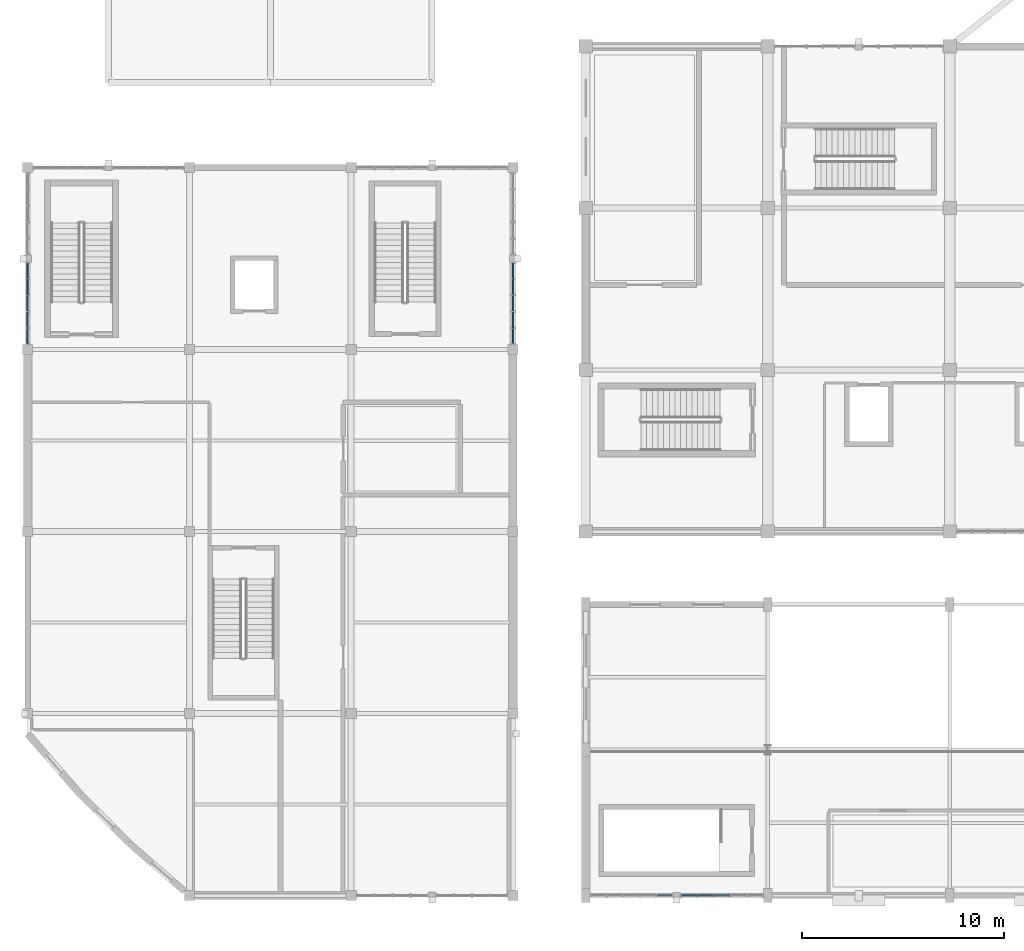
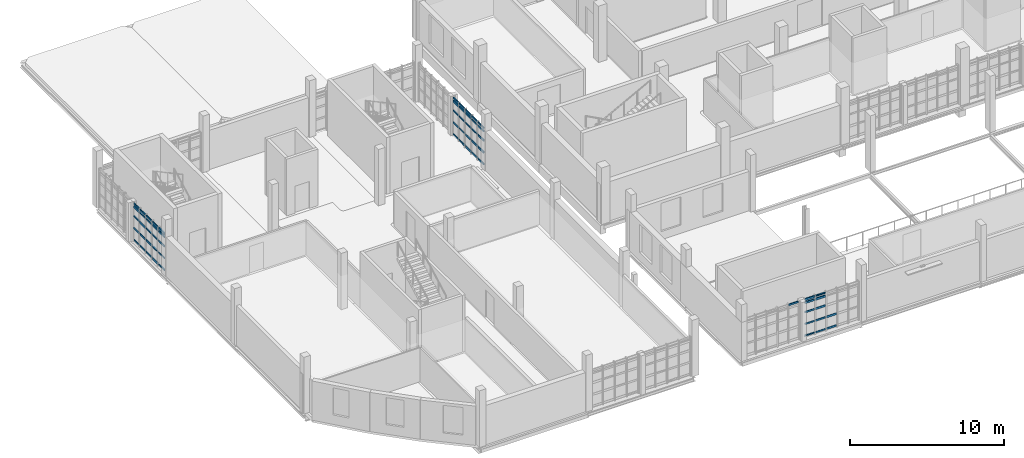
# One storey, part 53 of 125: 63 members, 4 elements without a shape of their own.
"""IFC4 building model written with IfcOpenShell, lengths in metres."""

from ifc_helpers import new_model, si_unit, direction, frame, origin, origin_2d, place, context, subcontext, project, spatial, rectangle, extrude, material, material_profile, profile_set, type_object, element, aggregate, save


model = new_model("IFC4")

# Units and contexts
model_context = context("Model", 3, precision=1e-05, world=origin(), true_north=direction((0.0, 1.0)))
body_context = subcontext(model_context, "Body", "Model", "MODEL_VIEW")
ifc_project = project(units=[si_unit("LENGTHUNIT", "METRE"), si_unit("AREAUNIT", "SQUARE_METRE"), si_unit("VOLUMEUNIT", "CUBIC_METRE"), si_unit("PLANEANGLEUNIT", "RADIAN"), si_unit("MASSUNIT", "GRAM", prefix="KILO")], contexts=[model_context])

# Site, building, storey
site_placement = place(None, origin())
site = spatial("IfcSite", under=ifc_project, at=site_placement, CompositionType="ELEMENT")
building_placement = place(site_placement, origin())
building = spatial("IfcBuilding", under=site, at=building_placement, Name="Serraforn Aerial Cableway Station", CompositionType="ELEMENT")
storey_placement = place(building_placement, frame((0.0, 0.0, 4.5)))
storey = spatial("IfcBuildingStorey", under=building, at=storey_placement, Name="L01", CompositionType="ELEMENT", Elevation=4.5)

# Curtain wall, members
ifc_material_1 = material(Name="Anodised bronze unitised curtain wall")
curtain_wall_type_1 = type_object("IfcCurtainWallType", Name="CW-SYS-20", PredefinedType="USERDEFINED", material=ifc_material_1)
curtain_wall_1_placement = place(storey_placement, origin())
curtain_wall_1 = element("IfcCurtainWall", 1, at=curtain_wall_1_placement, inside=storey, type_object=curtain_wall_type_1, Name="Unitised Curtain Wall CW-W-L01-W4B", ObjectType="UNITISED CURTAIN WALL", PredefinedType="USERDEFINED")
ifc_material_2 = material(Name="Anodised bronze extruded aluminium", Category="aluminium")
ifc_material_profile_1 = material_profile(ifc_material_2, rectangle(XDim=0.054931640625, YDim=0.110107421875, at=origin_2d()), Name="CW TRANSOM 55x110")
ifc_profile_set_1 = profile_set([ifc_material_profile_1], Name="Anodised bronze extruded aluminium")
member_type_1 = type_object("IfcMemberType", Name="CW-TRN-1", PredefinedType="USERDEFINED", material=ifc_profile_set_1)
member_1_placement = place(storey_placement, frame((0.0, 31.26708984375, 2.9951171875), z_axis=(0.0, -1.0, 0.0), x_axis=(1.0, 0.0, 0.0)))
member_1 = element("IfcMember", 2, at=member_1_placement, type_object=member_type_1, Name="Curtain Wall Transom CW-W-L01-W4B-T1-5", ObjectType="TRANSOM", PredefinedType="USERDEFINED", context=body_context, shape_type="SweptSolid", body=[
    extrude(rectangle(XDim=0.054931640625, YDim=0.110107421875, at=origin_2d()), origin(), (0.0, 0.0, 1.0), 0.7333984375),
])
member_2_placement = place(storey_placement, frame((0.0, 30.4775390625, 2.74560546875), z_axis=(0.0, -1.0, 0.0), x_axis=(1.0, 0.0, 0.0)))
member_2 = element("IfcMember", 3, at=member_2_placement, type_object=member_type_1, Name="Curtain Wall Transom CW-W-L01-W4B-T2-4", ObjectType="TRANSOM", PredefinedType="USERDEFINED", context=body_context, shape_type="SweptSolid", body=[
    extrude(rectangle(XDim=0.054931640625, YDim=0.110107421875, at=origin_2d()), origin(), (0.0, 0.0, 1.0), 0.755859375),
])
member_3_placement = place(storey_placement, frame((0.0, 29.66064453125, 1.996826171875), z_axis=(0.0, -1.0, 0.0), x_axis=(1.0, 0.0, 0.0)))
member_3 = element("IfcMember", 4, at=member_3_placement, type_object=member_type_1, Name="Curtain Wall Transom CW-W-L01-W4B-T3-3", ObjectType="TRANSOM", PredefinedType="USERDEFINED", context=body_context, shape_type="SweptSolid", body=[
    extrude(rectangle(XDim=0.054931640625, YDim=0.110107421875, at=origin_2d()), origin(), (0.0, 0.0, 1.0), 0.750732421875),
])
member_4_placement = place(storey_placement, frame((0.0, 28.84375, 1.060791015625), z_axis=(0.0, -1.0, 0.0), x_axis=(1.0, 0.0, 0.0)))
member_4 = element("IfcMember", 5, at=member_4_placement, type_object=member_type_1, Name="Curtain Wall Transom CW-W-L01-W4B-T4-2", ObjectType="TRANSOM", PredefinedType="USERDEFINED", context=body_context, shape_type="SweptSolid", body=[
    extrude(rectangle(XDim=0.054931640625, YDim=0.110107421875, at=origin_2d()), origin(), (0.0, 0.0, 1.0), 0.745849609375),
])
member_5_placement = place(storey_placement, frame((0.0, 28.02685546875, 0.124755859375), z_axis=(0.0, -1.0, 0.0), x_axis=(1.0, 0.0, 0.0)))
member_5 = element("IfcMember", 6, at=member_5_placement, type_object=member_type_1, Name="Curtain Wall Transom CW-W-L01-W4B-T5-1", ObjectType="TRANSOM", PredefinedType="USERDEFINED", context=body_context, shape_type="SweptSolid", body=[
    extrude(rectangle(XDim=0.054931640625, YDim=0.110107421875, at=origin_2d()), origin(), (0.0, 0.0, 1.0), 0.725830078125),
])

curtain_wall_type_2 = type_object("IfcCurtainWallType", Name="CW-SYS-21", PredefinedType="USERDEFINED", material=ifc_material_1)
curtain_wall_2_placement = place(storey_placement, origin())
curtain_wall_2 = element("IfcCurtainWall", 7, at=curtain_wall_2_placement, inside=storey, type_object=curtain_wall_type_2, Name="Unitised Curtain Wall CW-W-L01-E4A", ObjectType="UNITISED CURTAIN WALL", PredefinedType="USERDEFINED")
member_6_placement = place(storey_placement, frame((24.0, 27.305908203125, 2.74560546875), z_axis=(0.0, 1.0, 0.0), x_axis=(-1.0, 0.0, 0.0)))
member_6 = element("IfcMember", 8, at=member_6_placement, type_object=member_type_1, Name="Curtain Wall Transom CW-W-L01-E4A-T1-4", ObjectType="TRANSOM", PredefinedType="USERDEFINED", context=body_context, shape_type="SweptSolid", body=[
    extrude(rectangle(XDim=0.054931640625, YDim=0.110107421875, at=origin_2d()), origin(), (0.0, 0.0, 1.0), 0.72607421875),
])
member_7_placement = place(storey_placement, frame((24.0, 28.093017578125, 1.996826171875), z_axis=(0.0, 1.0, 0.0), x_axis=(-1.0, 0.0, 0.0)))
member_7 = element("IfcMember", 9, at=member_7_placement, type_object=member_type_1, Name="Curtain Wall Transom CW-W-L01-E4A-T2-3", ObjectType="TRANSOM", PredefinedType="USERDEFINED", context=body_context, shape_type="SweptSolid", body=[
    extrude(rectangle(XDim=0.054931640625, YDim=0.110107421875, at=origin_2d()), origin(), (0.0, 0.0, 1.0), 0.750732421875),
])
member_8_placement = place(storey_placement, frame((24.0, 28.909912109375, 1.060791015625), z_axis=(0.0, 1.0, 0.0), x_axis=(-1.0, 0.0, 0.0)))
member_8 = element("IfcMember", 10, at=member_8_placement, type_object=member_type_1, Name="Curtain Wall Transom CW-W-L01-E4A-T3-2", ObjectType="TRANSOM", PredefinedType="USERDEFINED", context=body_context, shape_type="SweptSolid", body=[
    extrude(rectangle(XDim=0.054931640625, YDim=0.110107421875, at=origin_2d()), origin(), (0.0, 0.0, 1.0), 0.745849609375),
])
member_9_placement = place(storey_placement, frame((24.0, 29.726806640625, 0.124755859375), z_axis=(0.0, 1.0, 0.0), x_axis=(-1.0, 0.0, 0.0)))
member_9 = element("IfcMember", 11, at=member_9_placement, type_object=member_type_1, Name="Curtain Wall Transom CW-W-L01-E4A-T4-1", ObjectType="TRANSOM", PredefinedType="USERDEFINED", context=body_context, shape_type="SweptSolid", body=[
    extrude(rectangle(XDim=0.054931640625, YDim=0.110107421875, at=origin_2d()), origin(), (0.0, 0.0, 1.0), 0.753173828125),
])
member_10_placement = place(storey_placement, frame((24.0, 30.531005859375, 2.9951171875), z_axis=(0.0, 1.0, 0.0), x_axis=(-1.0, 0.0, 0.0)))
member_10 = element("IfcMember", 12, at=member_10_placement, type_object=member_type_1, Name="Curtain Wall Transom CW-W-L01-E4A-T5-5", ObjectType="TRANSOM", PredefinedType="USERDEFINED", context=body_context, shape_type="SweptSolid", body=[
    extrude(rectangle(XDim=0.054931640625, YDim=0.110107421875, at=origin_2d()), origin(), (0.0, 0.0, 1.0), 0.73095703125),
])

curtain_wall_type_3 = type_object("IfcCurtainWallType", Name="CW-SYS-26", PredefinedType="USERDEFINED", material=ifc_material_1)
curtain_wall_3_placement = place(storey_placement, origin())
curtain_wall_3 = element("IfcCurtainWall", 13, at=curtain_wall_3_placement, inside=storey, type_object=curtain_wall_type_3, Name="Unitised Curtain Wall CW-CF-L01-S1B", ObjectType="UNITISED CURTAIN WALL", PredefinedType="USERDEFINED")
member_11_placement = place(storey_placement, frame((32.35302734375, 0.0, 0.124755859375), z_axis=(1.0, 0.0, 0.0), x_axis=(0.0, 1.0, 0.0)))
member_11 = element("IfcMember", 14, at=member_11_placement, type_object=member_type_1, Name="Curtain Wall Transom CW-CF-L01-S1B-T1-1", ObjectType="TRANSOM", PredefinedType="USERDEFINED", context=body_context, shape_type="SweptSolid", body=[
    extrude(rectangle(XDim=0.054931640625, YDim=0.110107421875, at=origin_2d()), origin(), (0.0, 0.0, 1.0), 0.725830078125),
])
member_12_placement = place(storey_placement, frame((33.1298828125, 0.0, 2.9951171875), z_axis=(1.0, 0.0, 0.0), x_axis=(0.0, 1.0, 0.0)))
member_12 = element("IfcMember", 15, at=member_12_placement, type_object=member_type_1, Name="Curtain Wall Transom CW-CF-L01-S1B-T2-5", ObjectType="TRANSOM", PredefinedType="USERDEFINED", context=body_context, shape_type="SweptSolid", body=[
    extrude(rectangle(XDim=0.054931640625, YDim=0.110107421875, at=origin_2d()), origin(), (0.0, 0.0, 1.0), 0.77099609375),
])

# Member
ifc_material_profile_2 = material_profile(ifc_material_2, rectangle(XDim=0.06005859375, YDim=0.1201171875, at=origin_2d()), Name="CW TRANSOM 60x120")
ifc_profile_set_2 = profile_set([ifc_material_profile_2], Name="Anodised bronze extruded aluminium")
member_type_2 = type_object("IfcMemberType", Name="CW-TRN-2", PredefinedType="USERDEFINED", material=ifc_profile_set_2)
member_13_placement = place(storey_placement, frame((0.0, 31.26708984375, 0.124755859375), z_axis=(0.0, -1.0, 0.0), x_axis=(1.0, 0.0, 0.0)))
member_13 = element("IfcMember", 16, at=member_13_placement, type_object=member_type_2, Name="Curtain Wall Transom CW-W-L01-W4B-T1-1", ObjectType="TRANSOM", PredefinedType="USERDEFINED", context=body_context, shape_type="SweptSolid", body=[
    extrude(rectangle(XDim=0.06005859375, YDim=0.1201171875, at=origin_2d()), origin(), (0.0, 0.0, 1.0), 0.7333984375),
])

member_14_placement = place(storey_placement, frame((0.0, 30.4775390625, 2.9951171875), z_axis=(0.0, -1.0, 0.0), x_axis=(1.0, 0.0, 0.0)))
member_14 = element("IfcMember", 17, at=member_14_placement, type_object=member_type_2, Name="Curtain Wall Transom CW-W-L01-W4B-T2-5", ObjectType="TRANSOM", PredefinedType="USERDEFINED", context=body_context, shape_type="SweptSolid", body=[
    extrude(rectangle(XDim=0.06005859375, YDim=0.1201171875, at=origin_2d()), origin(), (0.0, 0.0, 1.0), 0.755859375),
])

member_15_placement = place(storey_placement, frame((0.0, 29.66064453125, 2.74560546875), z_axis=(0.0, -1.0, 0.0), x_axis=(1.0, 0.0, 0.0)))
member_15 = element("IfcMember", 18, at=member_15_placement, type_object=member_type_2, Name="Curtain Wall Transom CW-W-L01-W4B-T3-4", ObjectType="TRANSOM", PredefinedType="USERDEFINED", context=body_context, shape_type="SweptSolid", body=[
    extrude(rectangle(XDim=0.06005859375, YDim=0.1201171875, at=origin_2d()), origin(), (0.0, 0.0, 1.0), 0.750732421875),
])

member_16_placement = place(storey_placement, frame((0.0, 28.84375, 1.996826171875), z_axis=(0.0, -1.0, 0.0), x_axis=(1.0, 0.0, 0.0)))
member_16 = element("IfcMember", 19, at=member_16_placement, type_object=member_type_2, Name="Curtain Wall Transom CW-W-L01-W4B-T4-3", ObjectType="TRANSOM", PredefinedType="USERDEFINED", context=body_context, shape_type="SweptSolid", body=[
    extrude(rectangle(XDim=0.06005859375, YDim=0.1201171875, at=origin_2d()), origin(), (0.0, 0.0, 1.0), 0.745849609375),
])

member_17_placement = place(storey_placement, frame((0.0, 28.02685546875, 1.060791015625), z_axis=(0.0, -1.0, 0.0), x_axis=(1.0, 0.0, 0.0)))
member_17 = element("IfcMember", 20, at=member_17_placement, type_object=member_type_2, Name="Curtain Wall Transom CW-W-L01-W4B-T5-2", ObjectType="TRANSOM", PredefinedType="USERDEFINED", context=body_context, shape_type="SweptSolid", body=[
    extrude(rectangle(XDim=0.06005859375, YDim=0.1201171875, at=origin_2d()), origin(), (0.0, 0.0, 1.0), 0.725830078125),
])

member_18_placement = place(storey_placement, frame((24.0, 27.305908203125, 2.9951171875), z_axis=(0.0, 1.0, 0.0), x_axis=(-1.0, 0.0, 0.0)))
member_18 = element("IfcMember", 21, at=member_18_placement, type_object=member_type_2, Name="Curtain Wall Transom CW-W-L01-E4A-T1-5", ObjectType="TRANSOM", PredefinedType="USERDEFINED", context=body_context, shape_type="SweptSolid", body=[
    extrude(rectangle(XDim=0.06005859375, YDim=0.1201171875, at=origin_2d()), origin(), (0.0, 0.0, 1.0), 0.72607421875),
])

member_19_placement = place(storey_placement, frame((24.0, 28.093017578125, 2.74560546875), z_axis=(0.0, 1.0, 0.0), x_axis=(-1.0, 0.0, 0.0)))
member_19 = element("IfcMember", 22, at=member_19_placement, type_object=member_type_2, Name="Curtain Wall Transom CW-W-L01-E4A-T2-4", ObjectType="TRANSOM", PredefinedType="USERDEFINED", context=body_context, shape_type="SweptSolid", body=[
    extrude(rectangle(XDim=0.06005859375, YDim=0.1201171875, at=origin_2d()), origin(), (0.0, 0.0, 1.0), 0.750732421875),
])

member_20_placement = place(storey_placement, frame((24.0, 28.909912109375, 1.996826171875), z_axis=(0.0, 1.0, 0.0), x_axis=(-1.0, 0.0, 0.0)))
member_20 = element("IfcMember", 23, at=member_20_placement, type_object=member_type_2, Name="Curtain Wall Transom CW-W-L01-E4A-T3-3", ObjectType="TRANSOM", PredefinedType="USERDEFINED", context=body_context, shape_type="SweptSolid", body=[
    extrude(rectangle(XDim=0.06005859375, YDim=0.1201171875, at=origin_2d()), origin(), (0.0, 0.0, 1.0), 0.745849609375),
])

member_21_placement = place(storey_placement, frame((24.0, 29.726806640625, 1.060791015625), z_axis=(0.0, 1.0, 0.0), x_axis=(-1.0, 0.0, 0.0)))
member_21 = element("IfcMember", 24, at=member_21_placement, type_object=member_type_2, Name="Curtain Wall Transom CW-W-L01-E4A-T4-2", ObjectType="TRANSOM", PredefinedType="USERDEFINED", context=body_context, shape_type="SweptSolid", body=[
    extrude(rectangle(XDim=0.06005859375, YDim=0.1201171875, at=origin_2d()), origin(), (0.0, 0.0, 1.0), 0.753173828125),
])

member_22_placement = place(storey_placement, frame((24.0, 30.531005859375, 0.124755859375), z_axis=(0.0, 1.0, 0.0), x_axis=(-1.0, 0.0, 0.0)))
member_22 = element("IfcMember", 25, at=member_22_placement, type_object=member_type_2, Name="Curtain Wall Transom CW-W-L01-E4A-T5-1", ObjectType="TRANSOM", PredefinedType="USERDEFINED", context=body_context, shape_type="SweptSolid", body=[
    extrude(rectangle(XDim=0.06005859375, YDim=0.1201171875, at=origin_2d()), origin(), (0.0, 0.0, 1.0), 0.73095703125),
])

member_23_placement = place(storey_placement, frame((32.35302734375, 0.0, 1.060791015625), z_axis=(1.0, 0.0, 0.0), x_axis=(0.0, 1.0, 0.0)))
member_23 = element("IfcMember", 26, at=member_23_placement, type_object=member_type_2, Name="Curtain Wall Transom CW-CF-L01-S1B-T1-2", ObjectType="TRANSOM", PredefinedType="USERDEFINED", context=body_context, shape_type="SweptSolid", body=[
    extrude(rectangle(XDim=0.06005859375, YDim=0.1201171875, at=origin_2d()), origin(), (0.0, 0.0, 1.0), 0.725830078125),
])

member_24_placement = place(storey_placement, frame((33.1298828125, 0.0, 0.124755859375), z_axis=(1.0, 0.0, 0.0), x_axis=(0.0, 1.0, 0.0)))
member_24 = element("IfcMember", 27, at=member_24_placement, type_object=member_type_2, Name="Curtain Wall Transom CW-CF-L01-S1B-T2-1", ObjectType="TRANSOM", PredefinedType="USERDEFINED", context=body_context, shape_type="SweptSolid", body=[
    extrude(rectangle(XDim=0.06005859375, YDim=0.1201171875, at=origin_2d()), origin(), (0.0, 0.0, 1.0), 0.77099609375),
])

ifc_material_profile_3 = material_profile(ifc_material_2, rectangle(XDim=0.06494140625, YDim=0.135009765625, at=origin_2d()), Name="CW TRANSOM 65x135")
ifc_profile_set_3 = profile_set([ifc_material_profile_3], Name="Anodised bronze extruded aluminium")
member_type_3 = type_object("IfcMemberType", Name="CW-TRN-3", PredefinedType="USERDEFINED", material=ifc_profile_set_3)
member_25_placement = place(storey_placement, frame((0.0, 31.26708984375, 1.060791015625), z_axis=(0.0, -1.0, 0.0), x_axis=(1.0, 0.0, 0.0)))
member_25 = element("IfcMember", 28, at=member_25_placement, type_object=member_type_3, Name="Curtain Wall Transom CW-W-L01-W4B-T1-2", ObjectType="TRANSOM", PredefinedType="USERDEFINED", context=body_context, shape_type="SweptSolid", body=[
    extrude(rectangle(XDim=0.06494140625, YDim=0.135009765625, at=origin_2d()), origin(), (0.0, 0.0, 1.0), 0.7333984375),
])

member_26_placement = place(storey_placement, frame((0.0, 30.4775390625, 0.124755859375), z_axis=(0.0, -1.0, 0.0), x_axis=(1.0, 0.0, 0.0)))
member_26 = element("IfcMember", 29, at=member_26_placement, type_object=member_type_3, Name="Curtain Wall Transom CW-W-L01-W4B-T2-1", ObjectType="TRANSOM", PredefinedType="USERDEFINED", context=body_context, shape_type="SweptSolid", body=[
    extrude(rectangle(XDim=0.06494140625, YDim=0.135009765625, at=origin_2d()), origin(), (0.0, 0.0, 1.0), 0.755859375),
])

member_27_placement = place(storey_placement, frame((0.0, 29.66064453125, 2.9951171875), z_axis=(0.0, -1.0, 0.0), x_axis=(1.0, 0.0, 0.0)))
member_27 = element("IfcMember", 30, at=member_27_placement, type_object=member_type_3, Name="Curtain Wall Transom CW-W-L01-W4B-T3-5", ObjectType="TRANSOM", PredefinedType="USERDEFINED", context=body_context, shape_type="SweptSolid", body=[
    extrude(rectangle(XDim=0.06494140625, YDim=0.135009765625, at=origin_2d()), origin(), (0.0, 0.0, 1.0), 0.750732421875),
])

member_28_placement = place(storey_placement, frame((0.0, 28.84375, 2.74560546875), z_axis=(0.0, -1.0, 0.0), x_axis=(1.0, 0.0, 0.0)))
member_28 = element("IfcMember", 31, at=member_28_placement, type_object=member_type_3, Name="Curtain Wall Transom CW-W-L01-W4B-T4-4", ObjectType="TRANSOM", PredefinedType="USERDEFINED", context=body_context, shape_type="SweptSolid", body=[
    extrude(rectangle(XDim=0.06494140625, YDim=0.135009765625, at=origin_2d()), origin(), (0.0, 0.0, 1.0), 0.745849609375),
])

member_29_placement = place(storey_placement, frame((0.0, 28.02685546875, 1.996826171875), z_axis=(0.0, -1.0, 0.0), x_axis=(1.0, 0.0, 0.0)))
member_29 = element("IfcMember", 32, at=member_29_placement, type_object=member_type_3, Name="Curtain Wall Transom CW-W-L01-W4B-T5-3", ObjectType="TRANSOM", PredefinedType="USERDEFINED", context=body_context, shape_type="SweptSolid", body=[
    extrude(rectangle(XDim=0.06494140625, YDim=0.135009765625, at=origin_2d()), origin(), (0.0, 0.0, 1.0), 0.725830078125),
])

member_30_placement = place(storey_placement, frame((24.0, 27.305908203125, 0.124755859375), z_axis=(0.0, 1.0, 0.0), x_axis=(-1.0, 0.0, 0.0)))
member_30 = element("IfcMember", 33, at=member_30_placement, type_object=member_type_3, Name="Curtain Wall Transom CW-W-L01-E4A-T1-1", ObjectType="TRANSOM", PredefinedType="USERDEFINED", context=body_context, shape_type="SweptSolid", body=[
    extrude(rectangle(XDim=0.06494140625, YDim=0.135009765625, at=origin_2d()), origin(), (0.0, 0.0, 1.0), 0.72607421875),
])

member_31_placement = place(storey_placement, frame((24.0, 28.093017578125, 2.9951171875), z_axis=(0.0, 1.0, 0.0), x_axis=(-1.0, 0.0, 0.0)))
member_31 = element("IfcMember", 34, at=member_31_placement, type_object=member_type_3, Name="Curtain Wall Transom CW-W-L01-E4A-T2-5", ObjectType="TRANSOM", PredefinedType="USERDEFINED", context=body_context, shape_type="SweptSolid", body=[
    extrude(rectangle(XDim=0.06494140625, YDim=0.135009765625, at=origin_2d()), origin(), (0.0, 0.0, 1.0), 0.750732421875),
])

member_32_placement = place(storey_placement, frame((24.0, 28.909912109375, 2.74560546875), z_axis=(0.0, 1.0, 0.0), x_axis=(-1.0, 0.0, 0.0)))
member_32 = element("IfcMember", 35, at=member_32_placement, type_object=member_type_3, Name="Curtain Wall Transom CW-W-L01-E4A-T3-4", ObjectType="TRANSOM", PredefinedType="USERDEFINED", context=body_context, shape_type="SweptSolid", body=[
    extrude(rectangle(XDim=0.06494140625, YDim=0.135009765625, at=origin_2d()), origin(), (0.0, 0.0, 1.0), 0.745849609375),
])

member_33_placement = place(storey_placement, frame((24.0, 29.726806640625, 1.996826171875), z_axis=(0.0, 1.0, 0.0), x_axis=(-1.0, 0.0, 0.0)))
member_33 = element("IfcMember", 36, at=member_33_placement, type_object=member_type_3, Name="Curtain Wall Transom CW-W-L01-E4A-T4-3", ObjectType="TRANSOM", PredefinedType="USERDEFINED", context=body_context, shape_type="SweptSolid", body=[
    extrude(rectangle(XDim=0.06494140625, YDim=0.135009765625, at=origin_2d()), origin(), (0.0, 0.0, 1.0), 0.753173828125),
])

member_34_placement = place(storey_placement, frame((24.0, 30.531005859375, 1.060791015625), z_axis=(0.0, 1.0, 0.0), x_axis=(-1.0, 0.0, 0.0)))
member_34 = element("IfcMember", 37, at=member_34_placement, type_object=member_type_3, Name="Curtain Wall Transom CW-W-L01-E4A-T5-2", ObjectType="TRANSOM", PredefinedType="USERDEFINED", context=body_context, shape_type="SweptSolid", body=[
    extrude(rectangle(XDim=0.06494140625, YDim=0.135009765625, at=origin_2d()), origin(), (0.0, 0.0, 1.0), 0.73095703125),
])

# Curtain wall, member
curtain_wall_type_4 = type_object("IfcCurtainWallType", Name="CW-SYS-25", PredefinedType="USERDEFINED", material=ifc_material_1)
curtain_wall_4_placement = place(storey_placement, origin())
curtain_wall_4 = element("IfcCurtainWall", 38, at=curtain_wall_4_placement, inside=storey, type_object=curtain_wall_type_4, Name="Unitised Curtain Wall CW-CF-L01-S1A", ObjectType="UNITISED CURTAIN WALL", PredefinedType="USERDEFINED")
member_35_placement = place(storey_placement, frame((31.126220703125, 0.0, 2.9951171875), z_axis=(1.0, 0.0, 0.0), x_axis=(0.0, 1.0, 0.0)))
member_35 = element("IfcMember", 39, at=member_35_placement, type_object=member_type_3, Name="Curtain Wall Transom CW-CF-L01-S1A-T5-5", ObjectType="TRANSOM", PredefinedType="USERDEFINED", context=body_context, shape_type="SweptSolid", body=[
    extrude(rectangle(XDim=0.06494140625, YDim=0.135009765625, at=origin_2d()), origin(), (0.0, 0.0, 1.0), 0.725830078125),
])
aggregate(curtain_wall_4, [member_35])

# Member
member_36_placement = place(storey_placement, frame((32.35302734375, 0.0, 1.996826171875), z_axis=(1.0, 0.0, 0.0), x_axis=(0.0, 1.0, 0.0)))
member_36 = element("IfcMember", 40, at=member_36_placement, type_object=member_type_3, Name="Curtain Wall Transom CW-CF-L01-S1B-T1-3", ObjectType="TRANSOM", PredefinedType="USERDEFINED", context=body_context, shape_type="SweptSolid", body=[
    extrude(rectangle(XDim=0.06494140625, YDim=0.135009765625, at=origin_2d()), origin(), (0.0, 0.0, 1.0), 0.725830078125),
])

member_37_placement = place(storey_placement, frame((33.1298828125, 0.0, 1.060791015625), z_axis=(1.0, 0.0, 0.0), x_axis=(0.0, 1.0, 0.0)))
member_37 = element("IfcMember", 41, at=member_37_placement, type_object=member_type_3, Name="Curtain Wall Transom CW-CF-L01-S1B-T2-2", ObjectType="TRANSOM", PredefinedType="USERDEFINED", context=body_context, shape_type="SweptSolid", body=[
    extrude(rectangle(XDim=0.06494140625, YDim=0.135009765625, at=origin_2d()), origin(), (0.0, 0.0, 1.0), 0.77099609375),
])

member_38_placement = place(storey_placement, frame((33.956787109375, 0.0, 0.124755859375), z_axis=(1.0, 0.0, 0.0), x_axis=(0.0, 1.0, 0.0)))
member_38 = element("IfcMember", 42, at=member_38_placement, type_object=member_type_3, Name="Curtain Wall Transom CW-CF-L01-S1B-T3-1", ObjectType="TRANSOM", PredefinedType="USERDEFINED", context=body_context, shape_type="SweptSolid", body=[
    extrude(rectangle(XDim=0.06494140625, YDim=0.135009765625, at=origin_2d()), origin(), (0.0, 0.0, 1.0), 0.765869140625),
])

ifc_material_profile_4 = material_profile(ifc_material_2, rectangle(XDim=0.070068359375, YDim=0.14990234375, at=origin_2d()), Name="CW TRANSOM 70x150")
ifc_profile_set_4 = profile_set([ifc_material_profile_4], Name="Anodised bronze extruded aluminium")
member_type_4 = type_object("IfcMemberType", Name="CW-TRN-4", PredefinedType="USERDEFINED", material=ifc_profile_set_4)
member_39_placement = place(storey_placement, frame((0.0, 31.26708984375, 1.996826171875), z_axis=(0.0, -1.0, 0.0), x_axis=(1.0, 0.0, 0.0)))
member_39 = element("IfcMember", 43, at=member_39_placement, type_object=member_type_4, Name="Curtain Wall Transom CW-W-L01-W4B-T1-3", ObjectType="TRANSOM", PredefinedType="USERDEFINED", context=body_context, shape_type="SweptSolid", body=[
    extrude(rectangle(XDim=0.070068359375, YDim=0.14990234375, at=origin_2d()), origin(), (0.0, 0.0, 1.0), 0.7333984375),
])

member_40_placement = place(storey_placement, frame((0.0, 30.4775390625, 1.060791015625), z_axis=(0.0, -1.0, 0.0), x_axis=(1.0, 0.0, 0.0)))
member_40 = element("IfcMember", 44, at=member_40_placement, type_object=member_type_4, Name="Curtain Wall Transom CW-W-L01-W4B-T2-2", ObjectType="TRANSOM", PredefinedType="USERDEFINED", context=body_context, shape_type="SweptSolid", body=[
    extrude(rectangle(XDim=0.070068359375, YDim=0.14990234375, at=origin_2d()), origin(), (0.0, 0.0, 1.0), 0.755859375),
])

member_41_placement = place(storey_placement, frame((0.0, 29.66064453125, 0.124755859375), z_axis=(0.0, -1.0, 0.0), x_axis=(1.0, 0.0, 0.0)))
member_41 = element("IfcMember", 45, at=member_41_placement, type_object=member_type_4, Name="Curtain Wall Transom CW-W-L01-W4B-T3-1", ObjectType="TRANSOM", PredefinedType="USERDEFINED", context=body_context, shape_type="SweptSolid", body=[
    extrude(rectangle(XDim=0.070068359375, YDim=0.14990234375, at=origin_2d()), origin(), (0.0, 0.0, 1.0), 0.750732421875),
])

member_42_placement = place(storey_placement, frame((0.0, 28.84375, 2.9951171875), z_axis=(0.0, -1.0, 0.0), x_axis=(1.0, 0.0, 0.0)))
member_42 = element("IfcMember", 46, at=member_42_placement, type_object=member_type_4, Name="Curtain Wall Transom CW-W-L01-W4B-T4-5", ObjectType="TRANSOM", PredefinedType="USERDEFINED", context=body_context, shape_type="SweptSolid", body=[
    extrude(rectangle(XDim=0.070068359375, YDim=0.14990234375, at=origin_2d()), origin(), (0.0, 0.0, 1.0), 0.745849609375),
])

member_43_placement = place(storey_placement, frame((0.0, 28.02685546875, 2.74560546875), z_axis=(0.0, -1.0, 0.0), x_axis=(1.0, 0.0, 0.0)))
member_43 = element("IfcMember", 47, at=member_43_placement, type_object=member_type_4, Name="Curtain Wall Transom CW-W-L01-W4B-T5-4", ObjectType="TRANSOM", PredefinedType="USERDEFINED", context=body_context, shape_type="SweptSolid", body=[
    extrude(rectangle(XDim=0.070068359375, YDim=0.14990234375, at=origin_2d()), origin(), (0.0, 0.0, 1.0), 0.725830078125),
])

member_44_placement = place(storey_placement, frame((24.0, 27.305908203125, 1.060791015625), z_axis=(0.0, 1.0, 0.0), x_axis=(-1.0, 0.0, 0.0)))
member_44 = element("IfcMember", 48, at=member_44_placement, type_object=member_type_4, Name="Curtain Wall Transom CW-W-L01-E4A-T1-2", ObjectType="TRANSOM", PredefinedType="USERDEFINED", context=body_context, shape_type="SweptSolid", body=[
    extrude(rectangle(XDim=0.070068359375, YDim=0.14990234375, at=origin_2d()), origin(), (0.0, 0.0, 1.0), 0.72607421875),
])

member_45_placement = place(storey_placement, frame((24.0, 28.093017578125, 0.124755859375), z_axis=(0.0, 1.0, 0.0), x_axis=(-1.0, 0.0, 0.0)))
member_45 = element("IfcMember", 49, at=member_45_placement, type_object=member_type_4, Name="Curtain Wall Transom CW-W-L01-E4A-T2-1", ObjectType="TRANSOM", PredefinedType="USERDEFINED", context=body_context, shape_type="SweptSolid", body=[
    extrude(rectangle(XDim=0.070068359375, YDim=0.14990234375, at=origin_2d()), origin(), (0.0, 0.0, 1.0), 0.750732421875),
])

member_46_placement = place(storey_placement, frame((24.0, 28.909912109375, 2.9951171875), z_axis=(0.0, 1.0, 0.0), x_axis=(-1.0, 0.0, 0.0)))
member_46 = element("IfcMember", 50, at=member_46_placement, type_object=member_type_4, Name="Curtain Wall Transom CW-W-L01-E4A-T3-5", ObjectType="TRANSOM", PredefinedType="USERDEFINED", context=body_context, shape_type="SweptSolid", body=[
    extrude(rectangle(XDim=0.070068359375, YDim=0.14990234375, at=origin_2d()), origin(), (0.0, 0.0, 1.0), 0.745849609375),
])

member_47_placement = place(storey_placement, frame((24.0, 29.726806640625, 2.74560546875), z_axis=(0.0, 1.0, 0.0), x_axis=(-1.0, 0.0, 0.0)))
member_47 = element("IfcMember", 51, at=member_47_placement, type_object=member_type_4, Name="Curtain Wall Transom CW-W-L01-E4A-T4-4", ObjectType="TRANSOM", PredefinedType="USERDEFINED", context=body_context, shape_type="SweptSolid", body=[
    extrude(rectangle(XDim=0.070068359375, YDim=0.14990234375, at=origin_2d()), origin(), (0.0, 0.0, 1.0), 0.753173828125),
])

member_48_placement = place(storey_placement, frame((24.0, 30.531005859375, 1.996826171875), z_axis=(0.0, 1.0, 0.0), x_axis=(-1.0, 0.0, 0.0)))
member_48 = element("IfcMember", 52, at=member_48_placement, type_object=member_type_4, Name="Curtain Wall Transom CW-W-L01-E4A-T5-3", ObjectType="TRANSOM", PredefinedType="USERDEFINED", context=body_context, shape_type="SweptSolid", body=[
    extrude(rectangle(XDim=0.070068359375, YDim=0.14990234375, at=origin_2d()), origin(), (0.0, 0.0, 1.0), 0.73095703125),
])

member_49_placement = place(storey_placement, frame((32.35302734375, 0.0, 2.74560546875), z_axis=(1.0, 0.0, 0.0), x_axis=(0.0, 1.0, 0.0)))
member_49 = element("IfcMember", 53, at=member_49_placement, type_object=member_type_4, Name="Curtain Wall Transom CW-CF-L01-S1B-T1-4", ObjectType="TRANSOM", PredefinedType="USERDEFINED", context=body_context, shape_type="SweptSolid", body=[
    extrude(rectangle(XDim=0.070068359375, YDim=0.14990234375, at=origin_2d()), origin(), (0.0, 0.0, 1.0), 0.725830078125),
])

member_50_placement = place(storey_placement, frame((33.1298828125, 0.0, 1.996826171875), z_axis=(1.0, 0.0, 0.0), x_axis=(0.0, 1.0, 0.0)))
member_50 = element("IfcMember", 54, at=member_50_placement, type_object=member_type_4, Name="Curtain Wall Transom CW-CF-L01-S1B-T2-3", ObjectType="TRANSOM", PredefinedType="USERDEFINED", context=body_context, shape_type="SweptSolid", body=[
    extrude(rectangle(XDim=0.070068359375, YDim=0.14990234375, at=origin_2d()), origin(), (0.0, 0.0, 1.0), 0.77099609375),
])

member_51_placement = place(storey_placement, frame((33.956787109375, 0.0, 1.060791015625), z_axis=(1.0, 0.0, 0.0), x_axis=(0.0, 1.0, 0.0)))
member_51 = element("IfcMember", 55, at=member_51_placement, type_object=member_type_4, Name="Curtain Wall Transom CW-CF-L01-S1B-T3-2", ObjectType="TRANSOM", PredefinedType="USERDEFINED", context=body_context, shape_type="SweptSolid", body=[
    extrude(rectangle(XDim=0.070068359375, YDim=0.14990234375, at=origin_2d()), origin(), (0.0, 0.0, 1.0), 0.765869140625),
])

ifc_material_profile_5 = material_profile(ifc_material_2, rectangle(XDim=0.074951171875, YDim=0.1650390625, at=origin_2d()), Name="CW TRANSOM 75x165")
ifc_profile_set_5 = profile_set([ifc_material_profile_5], Name="Anodised bronze extruded aluminium")
member_type_5 = type_object("IfcMemberType", Name="CW-TRN-5", PredefinedType="USERDEFINED", material=ifc_profile_set_5)
member_52_placement = place(storey_placement, frame((0.0, 31.26708984375, 2.74560546875), z_axis=(0.0, -1.0, 0.0), x_axis=(1.0, 0.0, 0.0)))
member_52 = element("IfcMember", 56, at=member_52_placement, type_object=member_type_5, Name="Curtain Wall Transom CW-W-L01-W4B-T1-4", ObjectType="TRANSOM", PredefinedType="USERDEFINED", context=body_context, shape_type="SweptSolid", body=[
    extrude(rectangle(XDim=0.074951171875, YDim=0.1650390625, at=origin_2d()), origin(), (0.0, 0.0, 1.0), 0.7333984375),
])

member_53_placement = place(storey_placement, frame((0.0, 30.4775390625, 1.996826171875), z_axis=(0.0, -1.0, 0.0), x_axis=(1.0, 0.0, 0.0)))
member_53 = element("IfcMember", 57, at=member_53_placement, type_object=member_type_5, Name="Curtain Wall Transom CW-W-L01-W4B-T2-3", ObjectType="TRANSOM", PredefinedType="USERDEFINED", context=body_context, shape_type="SweptSolid", body=[
    extrude(rectangle(XDim=0.074951171875, YDim=0.1650390625, at=origin_2d()), origin(), (0.0, 0.0, 1.0), 0.755859375),
])

member_54_placement = place(storey_placement, frame((0.0, 29.66064453125, 1.060791015625), z_axis=(0.0, -1.0, 0.0), x_axis=(1.0, 0.0, 0.0)))
member_54 = element("IfcMember", 58, at=member_54_placement, type_object=member_type_5, Name="Curtain Wall Transom CW-W-L01-W4B-T3-2", ObjectType="TRANSOM", PredefinedType="USERDEFINED", context=body_context, shape_type="SweptSolid", body=[
    extrude(rectangle(XDim=0.074951171875, YDim=0.1650390625, at=origin_2d()), origin(), (0.0, 0.0, 1.0), 0.750732421875),
])

member_55_placement = place(storey_placement, frame((0.0, 28.84375, 0.124755859375), z_axis=(0.0, -1.0, 0.0), x_axis=(1.0, 0.0, 0.0)))
member_55 = element("IfcMember", 59, at=member_55_placement, type_object=member_type_5, Name="Curtain Wall Transom CW-W-L01-W4B-T4-1", ObjectType="TRANSOM", PredefinedType="USERDEFINED", context=body_context, shape_type="SweptSolid", body=[
    extrude(rectangle(XDim=0.074951171875, YDim=0.1650390625, at=origin_2d()), origin(), (0.0, 0.0, 1.0), 0.745849609375),
])

member_56_placement = place(storey_placement, frame((0.0, 28.02685546875, 2.9951171875), z_axis=(0.0, -1.0, 0.0), x_axis=(1.0, 0.0, 0.0)))
member_56 = element("IfcMember", 60, at=member_56_placement, type_object=member_type_5, Name="Curtain Wall Transom CW-W-L01-W4B-T5-5", ObjectType="TRANSOM", PredefinedType="USERDEFINED", context=body_context, shape_type="SweptSolid", body=[
    extrude(rectangle(XDim=0.074951171875, YDim=0.1650390625, at=origin_2d()), origin(), (0.0, 0.0, 1.0), 0.725830078125),
])

aggregate(curtain_wall_1, [member_13, member_25, member_39, member_52, member_1, member_26, member_40, member_53, member_2, member_14, member_41, member_54, member_3, member_15, member_27, member_55, member_4, member_16, member_28, member_42, member_5, member_17, member_29, member_43, member_56])

member_57_placement = place(storey_placement, frame((24.0, 27.305908203125, 1.996826171875), z_axis=(0.0, 1.0, 0.0), x_axis=(-1.0, 0.0, 0.0)))
member_57 = element("IfcMember", 61, at=member_57_placement, type_object=member_type_5, Name="Curtain Wall Transom CW-W-L01-E4A-T1-3", ObjectType="TRANSOM", PredefinedType="USERDEFINED", context=body_context, shape_type="SweptSolid", body=[
    extrude(rectangle(XDim=0.074951171875, YDim=0.1650390625, at=origin_2d()), origin(), (0.0, 0.0, 1.0), 0.72607421875),
])

member_58_placement = place(storey_placement, frame((24.0, 28.093017578125, 1.060791015625), z_axis=(0.0, 1.0, 0.0), x_axis=(-1.0, 0.0, 0.0)))
member_58 = element("IfcMember", 62, at=member_58_placement, type_object=member_type_5, Name="Curtain Wall Transom CW-W-L01-E4A-T2-2", ObjectType="TRANSOM", PredefinedType="USERDEFINED", context=body_context, shape_type="SweptSolid", body=[
    extrude(rectangle(XDim=0.074951171875, YDim=0.1650390625, at=origin_2d()), origin(), (0.0, 0.0, 1.0), 0.750732421875),
])

member_59_placement = place(storey_placement, frame((24.0, 28.909912109375, 0.124755859375), z_axis=(0.0, 1.0, 0.0), x_axis=(-1.0, 0.0, 0.0)))
member_59 = element("IfcMember", 63, at=member_59_placement, type_object=member_type_5, Name="Curtain Wall Transom CW-W-L01-E4A-T3-1", ObjectType="TRANSOM", PredefinedType="USERDEFINED", context=body_context, shape_type="SweptSolid", body=[
    extrude(rectangle(XDim=0.074951171875, YDim=0.1650390625, at=origin_2d()), origin(), (0.0, 0.0, 1.0), 0.745849609375),
])

member_60_placement = place(storey_placement, frame((24.0, 29.726806640625, 2.9951171875), z_axis=(0.0, 1.0, 0.0), x_axis=(-1.0, 0.0, 0.0)))
member_60 = element("IfcMember", 64, at=member_60_placement, type_object=member_type_5, Name="Curtain Wall Transom CW-W-L01-E4A-T4-5", ObjectType="TRANSOM", PredefinedType="USERDEFINED", context=body_context, shape_type="SweptSolid", body=[
    extrude(rectangle(XDim=0.074951171875, YDim=0.1650390625, at=origin_2d()), origin(), (0.0, 0.0, 1.0), 0.753173828125),
])

member_61_placement = place(storey_placement, frame((24.0, 30.531005859375, 2.74560546875), z_axis=(0.0, 1.0, 0.0), x_axis=(-1.0, 0.0, 0.0)))
member_61 = element("IfcMember", 65, at=member_61_placement, type_object=member_type_5, Name="Curtain Wall Transom CW-W-L01-E4A-T5-4", ObjectType="TRANSOM", PredefinedType="USERDEFINED", context=body_context, shape_type="SweptSolid", body=[
    extrude(rectangle(XDim=0.074951171875, YDim=0.1650390625, at=origin_2d()), origin(), (0.0, 0.0, 1.0), 0.73095703125),
])

aggregate(curtain_wall_2, [member_30, member_44, member_57, member_6, member_18, member_45, member_58, member_7, member_19, member_31, member_59, member_8, member_20, member_32, member_46, member_9, member_21, member_33, member_47, member_60, member_22, member_34, member_48, member_61, member_10])

member_62_placement = place(storey_placement, frame((32.35302734375, 0.0, 2.9951171875), z_axis=(1.0, 0.0, 0.0), x_axis=(0.0, 1.0, 0.0)))
member_62 = element("IfcMember", 66, at=member_62_placement, type_object=member_type_5, Name="Curtain Wall Transom CW-CF-L01-S1B-T1-5", ObjectType="TRANSOM", PredefinedType="USERDEFINED", context=body_context, shape_type="SweptSolid", body=[
    extrude(rectangle(XDim=0.074951171875, YDim=0.1650390625, at=origin_2d()), origin(), (0.0, 0.0, 1.0), 0.725830078125),
])

member_63_placement = place(storey_placement, frame((33.1298828125, 0.0, 2.74560546875), z_axis=(1.0, 0.0, 0.0), x_axis=(0.0, 1.0, 0.0)))
member_63 = element("IfcMember", 67, at=member_63_placement, type_object=member_type_5, Name="Curtain Wall Transom CW-CF-L01-S1B-T2-4", ObjectType="TRANSOM", PredefinedType="USERDEFINED", context=body_context, shape_type="SweptSolid", body=[
    extrude(rectangle(XDim=0.074951171875, YDim=0.1650390625, at=origin_2d()), origin(), (0.0, 0.0, 1.0), 0.77099609375),
])

aggregate(curtain_wall_3, [member_11, member_23, member_36, member_49, member_62, member_24, member_37, member_50, member_63, member_12, member_38, member_51])

save(model, "model.ifc")
